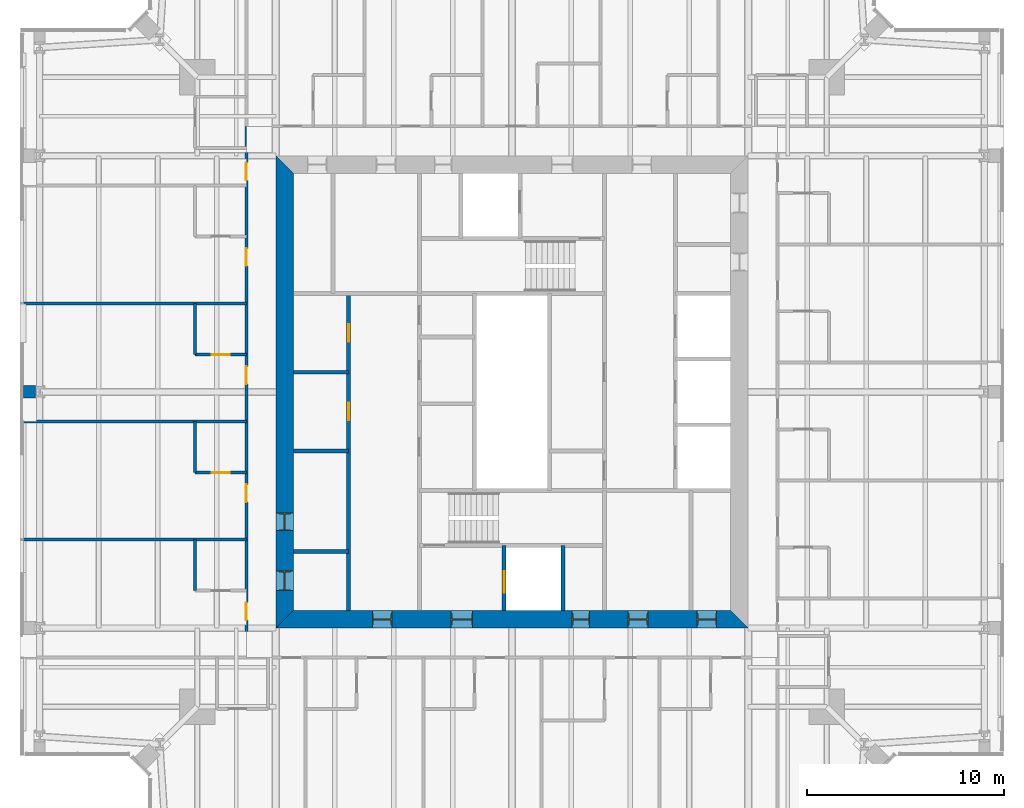
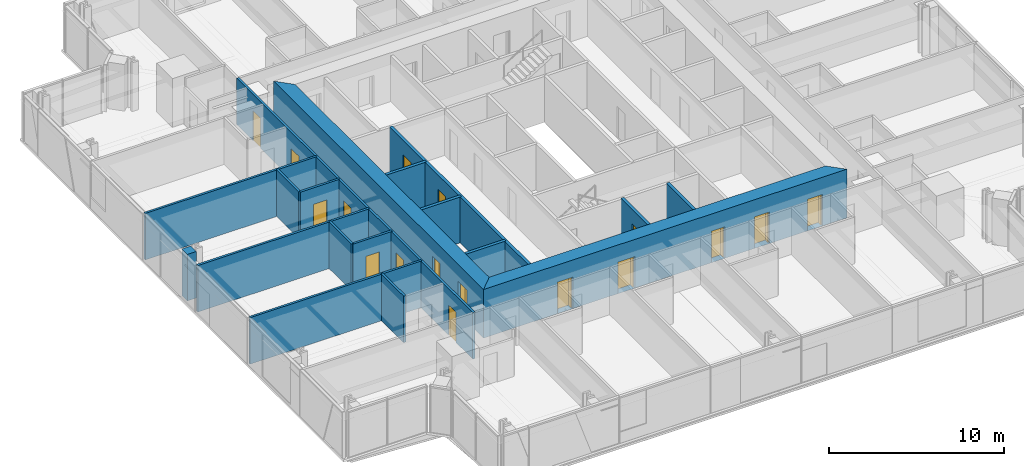
# One storey, part 12 of 20: 18 walls, 17 doors, 17 openings.
"""IFC4 building model written with IfcOpenShell, lengths in metres."""

from ifc_helpers import new_model, si_unit, direction, frame, frame_2d, origin, place, context, subcontext, project, spatial, polyline, rectangle, outline, extrude, material, layer, layer_set, type_object, element, fill, save


model = new_model("IFC4")

# Units and contexts
model_context = context("Model", 3, precision=1e-05, world=origin(), true_north=direction((0.0, 1.0)))
body_context = subcontext(model_context, "Body", "Model", "MODEL_VIEW")
ifc_project = project(units=[si_unit("LENGTHUNIT", "METRE"), si_unit("AREAUNIT", "SQUARE_METRE"), si_unit("VOLUMEUNIT", "CUBIC_METRE"), si_unit("PLANEANGLEUNIT", "RADIAN"), si_unit("MASSUNIT", "GRAM", prefix="KILO")], contexts=[model_context])

# Site, building, storey
site_placement = place(None, origin())
site = spatial("IfcSite", under=ifc_project, at=site_placement, CompositionType="ELEMENT")
building_placement = place(site_placement, origin())
building = spatial("IfcBuilding", under=site, at=building_placement, Name="Fenwick Lantern Interchange", CompositionType="ELEMENT")
storey_placement = place(building_placement, frame((0.0, 0.0, 245.800048828125)))
storey = spatial("IfcBuildingStorey", under=building, at=storey_placement, Name="L57", CompositionType="ELEMENT", Elevation=245.800048828125)

# Wall
ifc_material_1 = material(Name="Fire-rated gypsum board encasement on steel studs, 2 hour", Category="steel")
ifc_layer_1 = layer(ifc_material_1, 0.631103515625)
ifc_layer_set_1 = layer_set([ifc_layer_1], Name="COLUMN PIER 631")
wall_type_1 = type_object("IfcWallType", Name="COLUMN PIER 631", PredefinedType="PARTITIONING", material=ifc_layer_set_1)
wall_1_placement = place(storey_placement, frame((0.18994140625, 25.0, 0.0), z_axis=(0.0, 0.0, 1.0), x_axis=(1.0, 0.0, 0.0)))
element("IfcWall", 1, at=wall_1_placement, inside=storey, type_object=wall_type_1, Name="L57/W/PIER/CW3", PredefinedType="PARTITIONING", context=body_context, shape_type="SweptSolid", body=[
    extrude(rectangle(XDim=0.589111328125, YDim=0.631103515625, at=frame_2d((0.29443359375, 0.0))), origin(), (0.0, 0.0, 1.0), 3.25),
])

# Wall, openings, doors
ifc_material_2 = material(Name="Concrete masonry ASTM C90 Grade N", Category="masonry")
ifc_layer_2 = layer(ifc_material_2, 0.199951171875)
ifc_layer_set_2 = layer_set([ifc_layer_2], Name="Concrete masonry ASTM C90 Grade N")
wall_type_2 = type_object("IfcWallType", Name="CORE PARTITION 200", PredefinedType="PARTITIONING", material=ifc_layer_set_2)
wall_2_placement = place(storey_placement, frame((16.699951171875, 13.89990234375, 0.0), z_axis=(0.0, 0.0, 1.0), x_axis=(0.0, 1.0, 0.0)))
wall_2 = element("IfcWall", 2, at=wall_2_placement, inside=storey, type_object=wall_type_2, Name="L57/W/CORES/a", PredefinedType="PARTITIONING", context=body_context, shape_type="SweptSolid", body=[
    extrude(rectangle(XDim=16.10009765625, YDim=0.199951171875, at=frame_2d((8.050048828125, 0.0))), origin(), (0.0, 0.0, 1.0), 3.199951171875),
])
opening_1_placement = place(wall_2_placement, frame((9.64990234375, 0.0, 0.0)))
opening_1 = element("IfcOpeningElement", 3, at=opening_1_placement, cuts=wall_2, Name="Opening L57-D009", PredefinedType="OPENING", context=body_context, shape_type="SweptSolid", body=[
    extrude(rectangle(XDim=0.89990234375, YDim=2.199951171875, at=frame_2d((0.449951171875, 1.10009765625))), frame((0.0, 0.10986328125, 0.0), z_axis=(0.0, -1.0, 0.0), x_axis=(1.0, 0.0, 0.0)), (0.0, 0.0, 1.0), 0.219970703125),
])
opening_2_placement = place(wall_2_placement, frame((13.64990234375, 0.0, 0.0)))
opening_2 = element("IfcOpeningElement", 4, at=opening_2_placement, cuts=wall_2, Name="Opening L57-D010", PredefinedType="OPENING", context=body_context, shape_type="SweptSolid", body=[
    extrude(rectangle(XDim=0.89990234375, YDim=2.199951171875, at=frame_2d((0.449951171875, 1.10009765625))), frame((0.0, 0.10986328125, 0.0), z_axis=(0.0, -1.0, 0.0), x_axis=(1.0, 0.0, 0.0)), (0.0, 0.0, 1.0), 0.219970703125),
])
ifc_material_3 = material(Name="Steel door and frame", Category="steel")
door_type_1 = type_object("IfcDoorType", Name="SERVICE DOOR 900 X 2200", OperationType="SINGLE_SWING_LEFT", PredefinedType="DOOR", material=ifc_material_3)
door_1_placement = place(opening_1_placement, origin())
door_1 = element("IfcDoor", 5, at=door_1_placement, inside=storey, type_object=door_type_1, Name="Service door", OperationType="SINGLE_SWING_LEFT", OverallHeight=2.199951171875, OverallWidth=0.89990234375, PredefinedType="DOOR", context=body_context, shape_type="SweptSolid", body=[
    extrude(rectangle(XDim=0.89990234375, YDim=2.199951171875, at=frame_2d((0.449951171875, 1.10009765625))), frame((0.0, 0.02490234375, 0.0), z_axis=(0.0, -1.0, 0.0), x_axis=(1.0, 0.0, 0.0)), (0.0, 0.0, 1.0), 0.050048828125),
])
fill(opening_1, door_1)
door_2_placement = place(opening_2_placement, origin())
door_2 = element("IfcDoor", 6, at=door_2_placement, inside=storey, type_object=door_type_1, Name="Service door", OperationType="SINGLE_SWING_LEFT", OverallHeight=2.199951171875, OverallWidth=0.89990234375, PredefinedType="DOOR", context=body_context, shape_type="SweptSolid", body=[
    extrude(rectangle(XDim=0.89990234375, YDim=2.199951171875, at=frame_2d((0.449951171875, 1.10009765625))), frame((0.0, 0.02490234375, 0.0), z_axis=(0.0, -1.0, 0.0), x_axis=(1.0, 0.0, 0.0)), (0.0, 0.0, 1.0), 0.050048828125),
])
fill(opening_2, door_2)

# Wall, opening, door
wall_3_placement = place(storey_placement, frame((24.60009765625, 13.89990234375, 0.0), z_axis=(0.0, 0.0, 1.0), x_axis=(0.0, 1.0, 0.0)))
wall_3 = element("IfcWall", 7, at=wall_3_placement, inside=storey, type_object=wall_type_2, Name="L57/W/CORES/h1", PredefinedType="PARTITIONING", context=body_context, shape_type="SweptSolid", body=[
    extrude(rectangle(XDim=3.300048828125, YDim=0.199951171875, at=frame_2d((1.64990234375, 0.0))), origin(), (0.0, 0.0, 1.0), 3.199951171875),
])
opening_3_placement = place(wall_3_placement, frame((0.89990234375, 0.0, 0.0)))
opening_3 = element("IfcOpeningElement", 8, at=opening_3_placement, cuts=wall_3, Name="Opening LD-FL1", PredefinedType="OPENING", context=body_context, shape_type="SweptSolid", body=[
    extrude(rectangle(XDim=1.10009765625, YDim=2.199951171875, at=frame_2d((0.550048828125, 1.10009765625))), frame((0.0, 0.10986328125, 0.0), z_axis=(0.0, -1.0, 0.0), x_axis=(1.0, 0.0, 0.0)), (0.0, 0.0, 1.0), 0.219970703125),
])
door_type_2 = type_object("IfcDoorType", Name="LIFT LANDING DOOR 1100 X 2200", OperationType="DOUBLE_DOOR_SLIDING", PredefinedType="DOOR", material=ifc_material_3)
door_3_placement = place(opening_3_placement, origin())
door_3 = element("IfcDoor", 9, at=door_3_placement, inside=storey, type_object=door_type_2, Name="Lift landing door FL1", OperationType="DOUBLE_DOOR_SLIDING", OverallHeight=2.199951171875, OverallWidth=1.10009765625, PredefinedType="DOOR", context=body_context, shape_type="SweptSolid", body=[
    extrude(rectangle(XDim=1.10009765625, YDim=2.199951171875, at=frame_2d((0.550048828125, 1.10009765625))), frame((0.0, 0.02490234375, 0.0), z_axis=(0.0, -1.0, 0.0), x_axis=(1.0, 0.0, 0.0)), (0.0, 0.0, 1.0), 0.050048828125),
])
fill(opening_3, door_3)

# Walls
wall_4_placement = place(storey_placement, frame((27.60009765625, 13.89990234375, 0.0), z_axis=(0.0, 0.0, 1.0), x_axis=(0.0, 1.0, 0.0)))
element("IfcWall", 10, at=wall_4_placement, inside=storey, type_object=wall_type_2, Name="L57/W/CORES/h2", PredefinedType="PARTITIONING", context=body_context, shape_type="SweptSolid", body=[
    extrude(rectangle(XDim=3.300048828125, YDim=0.199951171875, at=frame_2d((1.64990234375, 0.0))), origin(), (0.0, 0.0, 1.0), 3.199951171875),
])
for number, where, z_axis, x_axis, name in (
    (11, (13.89990234375, 16.89990234375, 0.0), (0.0, 0.0, 1.0), (1.0, 0.0, 0.0), "L57/W/CORES/p1"),
    (12, (13.89990234375, 22.0, 0.0), (0.0, 0.0, 1.0), (1.0, 0.0, 0.0), "L57/W/CORES/p2"),
    (13, (13.89990234375, 26.0, 0.0), (0.0, 0.0, 1.0), (1.0, 0.0, 0.0), "L57/W/CORES/p3"),
):
    element("IfcWall", number, at=place(storey_placement, frame(where, z_axis=z_axis, x_axis=x_axis)), inside=storey, type_object=wall_type_2, Name=name, PredefinedType="PARTITIONING", context=body_context, shape_type="SweptSolid", body=[
        extrude(rectangle(XDim=2.800048828125, YDim=0.199951171875, at=frame_2d((1.39990234375, 0.0))), origin(), (0.0, 0.0, 1.0), 3.199951171875),
    ])

# Wall, openings, doors
ifc_material_4 = material(Name="Concrete f'c 70 MPa", Category="concrete")
ifc_layer_3 = layer(ifc_material_4, 0.89990234375)
ifc_layer_set_3 = layer_set([ifc_layer_3], Name="CORE WALL 900")
wall_type_3 = type_object("IfcWallType", Name="CORE WALL 900", PredefinedType="SHEAR", material=ifc_layer_set_3)
wall_5_placement = place(storey_placement, frame((13.0, 13.449951171875, 0.0), z_axis=(0.0, 0.0, 1.0), x_axis=(1.0, 0.0, 0.0)))
wall_5 = element("IfcWall", 14, at=wall_5_placement, inside=storey, type_object=wall_type_3, Name="L57/CORE/S", PredefinedType="SHEAR", context=body_context, shape_type="SweptSolid", body=[
    extrude(outline(polyline([(0.0, -0.449951171875), (24.0, -0.449951171875), (23.10009765625, 0.449951171875), (0.89990234375, 0.449951171875), (0.0, -0.449951171875)])), origin(), (0.0, 0.0, 1.0), 3.39990234375),
])
opening_4_placement = place(wall_5_placement, frame((4.89990234375, 0.0, 0.0)))
opening_4 = element("IfcOpeningElement", 15, at=opening_4_placement, cuts=wall_5, Name="Opening L57-D001", PredefinedType="OPENING", context=body_context, shape_type="SweptSolid", body=[
    extrude(rectangle(XDim=1.0, YDim=2.199951171875, at=frame_2d((0.5, 1.10009765625))), frame((0.0, 0.4599609375, 0.0), z_axis=(0.0, -1.0, 0.0), x_axis=(1.0, 0.0, 0.0)), (0.0, 0.0, 1.0), 0.919921875),
])
opening_5_placement = place(wall_5_placement, frame((8.89990234375, 0.0, 0.0)))
opening_5 = element("IfcOpeningElement", 16, at=opening_5_placement, cuts=wall_5, Name="Opening L57-D002", PredefinedType="OPENING", context=body_context, shape_type="SweptSolid", body=[
    extrude(rectangle(XDim=1.10009765625, YDim=2.199951171875, at=frame_2d((0.550048828125, 1.10009765625))), frame((0.0, 0.4599609375, 0.0), z_axis=(0.0, -1.0, 0.0), x_axis=(1.0, 0.0, 0.0)), (0.0, 0.0, 1.0), 0.919921875),
])
opening_6_placement = place(wall_5_placement, frame((15.050048828125, 0.0, 0.0)))
opening_6 = element("IfcOpeningElement", 17, at=opening_6_placement, cuts=wall_5, Name="Opening L57-D004", PredefinedType="OPENING", context=body_context, shape_type="SweptSolid", body=[
    extrude(rectangle(XDim=0.89990234375, YDim=2.199951171875, at=frame_2d((0.449951171875, 1.10009765625))), frame((0.0, 0.4599609375, 0.0), z_axis=(0.0, -1.0, 0.0), x_axis=(1.0, 0.0, 0.0)), (0.0, 0.0, 1.0), 0.919921875),
])
opening_7_placement = place(wall_5_placement, frame((17.89990234375, 0.0, 0.0)))
opening_7 = element("IfcOpeningElement", 18, at=opening_7_placement, cuts=wall_5, Name="Opening L57-D005", PredefinedType="OPENING", context=body_context, shape_type="SweptSolid", body=[
    extrude(rectangle(XDim=1.0, YDim=2.199951171875, at=frame_2d((0.5, 1.10009765625))), frame((0.0, 0.4599609375, 0.0), z_axis=(0.0, -1.0, 0.0), x_axis=(1.0, 0.0, 0.0)), (0.0, 0.0, 1.0), 0.919921875),
])
opening_8_placement = place(wall_5_placement, frame((21.39990234375, 0.0, 0.0)))
opening_8 = element("IfcOpeningElement", 19, at=opening_8_placement, cuts=wall_5, Name="Opening L57-D006", PredefinedType="OPENING", context=body_context, shape_type="SweptSolid", body=[
    extrude(rectangle(XDim=1.0, YDim=2.199951171875, at=frame_2d((0.5, 1.10009765625))), frame((0.0, 0.4599609375, 0.0), z_axis=(0.0, -1.0, 0.0), x_axis=(1.0, 0.0, 0.0)), (0.0, 0.0, 1.0), 0.919921875),
])
door_type_3 = type_object("IfcDoorType", Name="CORE LOBBY DOOR 1000 X 2200", OperationType="SINGLE_SWING_LEFT", PredefinedType="DOOR", material=ifc_material_3)
door_4_placement = place(opening_4_placement, origin())
door_4 = element("IfcDoor", 20, at=door_4_placement, inside=storey, type_object=door_type_3, Name="Core lobby door", OperationType="SINGLE_SWING_LEFT", OverallHeight=2.199951171875, OverallWidth=1.0, PredefinedType="DOOR", context=body_context, shape_type="SweptSolid", body=[
    extrude(rectangle(XDim=1.0, YDim=2.199951171875, at=frame_2d((0.5, 1.10009765625))), frame((0.0, 0.02490234375, 0.0), z_axis=(0.0, -1.0, 0.0), x_axis=(1.0, 0.0, 0.0)), (0.0, 0.0, 1.0), 0.050048828125),
    extrude(outline(polyline([(0.0, 0.0), (0.0400390625, 0.0), (0.0400390625, 2.159912109375), (0.9599609375, 2.159912109375), (0.9599609375, 0.0), (1.0, 0.0), (1.0, 2.199951171875), (0.0, 2.199951171875), (0.0, 0.0)])), frame((0.0, 0.300048828125, 0.0), z_axis=(0.0, -1.0, 0.0), x_axis=(1.0, 0.0, 0.0)), (0.0, 0.0, 1.0), 0.60009765625),
])
fill(opening_4, door_4)
door_type_4 = type_object("IfcDoorType", Name="FIRE LOBBY DOOR 1100 X 2200", OperationType="SINGLE_SWING_LEFT", PredefinedType="DOOR", material=ifc_material_3)
door_5_placement = place(opening_5_placement, origin())
door_5 = element("IfcDoor", 21, at=door_5_placement, inside=storey, type_object=door_type_4, Name="Fire lobby door", OperationType="SINGLE_SWING_LEFT", OverallHeight=2.199951171875, OverallWidth=1.10009765625, PredefinedType="DOOR", context=body_context, shape_type="SweptSolid", body=[
    extrude(rectangle(XDim=1.10009765625, YDim=2.199951171875, at=frame_2d((0.550048828125, 1.10009765625))), frame((0.0, 0.02490234375, 0.0), z_axis=(0.0, -1.0, 0.0), x_axis=(1.0, 0.0, 0.0)), (0.0, 0.0, 1.0), 0.050048828125),
    extrude(outline(polyline([(0.0, 0.0), (0.0400390625, 0.0), (0.0400390625, 2.159912109375), (1.06005859375, 2.159912109375), (1.06005859375, 0.0), (1.10009765625, 0.0), (1.10009765625, 2.199951171875), (0.0, 2.199951171875), (0.0, 0.0)])), frame((0.0, 0.300048828125, 0.0), z_axis=(0.0, -1.0, 0.0), x_axis=(1.0, 0.0, 0.0)), (0.0, 0.0, 1.0), 0.60009765625),
])
fill(opening_5, door_5)
door_6_placement = place(opening_6_placement, origin())
door_6 = element("IfcDoor", 22, at=door_6_placement, inside=storey, type_object=door_type_1, Name="Service door", OperationType="SINGLE_SWING_LEFT", OverallHeight=2.199951171875, OverallWidth=0.89990234375, PredefinedType="DOOR", context=body_context, shape_type="SweptSolid", body=[
    extrude(rectangle(XDim=0.89990234375, YDim=2.199951171875, at=frame_2d((0.449951171875, 1.10009765625))), frame((0.0, 0.02490234375, 0.0), z_axis=(0.0, -1.0, 0.0), x_axis=(1.0, 0.0, 0.0)), (0.0, 0.0, 1.0), 0.050048828125),
    extrude(outline(polyline([(0.0, 0.0), (0.0400390625, 0.0), (0.0400390625, 2.159912109375), (0.85986328125, 2.159912109375), (0.85986328125, 0.0), (0.89990234375, 0.0), (0.89990234375, 2.199951171875), (0.0, 2.199951171875), (0.0, 0.0)])), frame((0.0, 0.300048828125, 0.0), z_axis=(0.0, -1.0, 0.0), x_axis=(1.0, 0.0, 0.0)), (0.0, 0.0, 1.0), 0.60009765625),
])
fill(opening_6, door_6)
ifc_material_5 = material(Name="Hardwood door and steel frame", Category="steel")
door_type_5 = type_object("IfcDoorType", Name="WC DOOR 1000 X 2200", OperationType="SINGLE_SWING_LEFT", PredefinedType="DOOR", material=ifc_material_5)
door_7_placement = place(opening_7_placement, origin())
door_7 = element("IfcDoor", 23, at=door_7_placement, inside=storey, type_object=door_type_5, Name="Wc door", OperationType="SINGLE_SWING_LEFT", OverallHeight=2.199951171875, OverallWidth=1.0, PredefinedType="DOOR", context=body_context, shape_type="SweptSolid", body=[
    extrude(rectangle(XDim=1.0, YDim=2.199951171875, at=frame_2d((0.5, 1.10009765625))), frame((0.0, 0.02490234375, 0.0), z_axis=(0.0, -1.0, 0.0), x_axis=(1.0, 0.0, 0.0)), (0.0, 0.0, 1.0), 0.050048828125),
    extrude(outline(polyline([(0.0, 0.0), (0.0400390625, 0.0), (0.0400390625, 2.159912109375), (0.9599609375, 2.159912109375), (0.9599609375, 0.0), (1.0, 0.0), (1.0, 2.199951171875), (0.0, 2.199951171875), (0.0, 0.0)])), frame((0.0, 0.300048828125, 0.0), z_axis=(0.0, -1.0, 0.0), x_axis=(1.0, 0.0, 0.0)), (0.0, 0.0, 1.0), 0.60009765625),
])
fill(opening_7, door_7)
door_8_placement = place(opening_8_placement, origin())
door_8 = element("IfcDoor", 24, at=door_8_placement, inside=storey, type_object=door_type_5, Name="Wc door", OperationType="SINGLE_SWING_LEFT", OverallHeight=2.199951171875, OverallWidth=1.0, PredefinedType="DOOR", context=body_context, shape_type="SweptSolid", body=[
    extrude(rectangle(XDim=1.0, YDim=2.199951171875, at=frame_2d((0.5, 1.10009765625))), frame((0.0, 0.02490234375, 0.0), z_axis=(0.0, -1.0, 0.0), x_axis=(1.0, 0.0, 0.0)), (0.0, 0.0, 1.0), 0.050048828125),
    extrude(outline(polyline([(0.0, 0.0), (0.0400390625, 0.0), (0.0400390625, 2.159912109375), (0.9599609375, 2.159912109375), (0.9599609375, 0.0), (1.0, 0.0), (1.0, 2.199951171875), (0.0, 2.199951171875), (0.0, 0.0)])), frame((0.0, 0.300048828125, 0.0), z_axis=(0.0, -1.0, 0.0), x_axis=(1.0, 0.0, 0.0)), (0.0, 0.0, 1.0), 0.60009765625),
])
fill(opening_8, door_8)

wall_6_placement = place(storey_placement, frame((13.449951171875, 36.10009765625, 0.0), z_axis=(0.0, 0.0, 1.0), x_axis=(0.0, -1.0, 0.0)))
wall_6 = element("IfcWall", 25, at=wall_6_placement, inside=storey, type_object=wall_type_3, Name="L57/CORE/W", PredefinedType="SHEAR", context=body_context, shape_type="SweptSolid", body=[
    extrude(outline(polyline([(-0.89990234375, -0.449951171875), (23.10009765625, -0.449951171875), (22.199951171875, 0.449951171875), (0.0, 0.449951171875), (-0.89990234375, -0.449951171875)])), origin(), (0.0, 0.0, 1.0), 3.39990234375),
])
opening_9_placement = place(wall_6_placement, frame((20.199951171875, 0.0, 0.0)))
opening_9 = element("IfcOpeningElement", 26, at=opening_9_placement, cuts=wall_6, Name="Opening L57-D007", PredefinedType="OPENING", context=body_context, shape_type="SweptSolid", body=[
    extrude(rectangle(XDim=1.0, YDim=2.199951171875, at=frame_2d((0.5, 1.10009765625))), frame((0.0, 0.4599609375, 0.0), z_axis=(0.0, -1.0, 0.0), x_axis=(1.0, 0.0, 0.0)), (0.0, 0.0, 1.0), 0.919921875),
])
opening_10_placement = place(wall_6_placement, frame((17.25, 0.0, 0.0)))
opening_10 = element("IfcOpeningElement", 27, at=opening_10_placement, cuts=wall_6, Name="Opening L57-D008", PredefinedType="OPENING", context=body_context, shape_type="SweptSolid", body=[
    extrude(rectangle(XDim=0.89990234375, YDim=2.199951171875, at=frame_2d((0.449951171875, 1.10009765625))), frame((0.0, 0.4599609375, 0.0), z_axis=(0.0, -1.0, 0.0), x_axis=(1.0, 0.0, 0.0)), (0.0, 0.0, 1.0), 0.919921875),
])
door_9_placement = place(opening_10_placement, origin())
door_9 = element("IfcDoor", 28, at=door_9_placement, inside=storey, type_object=door_type_1, Name="Service door", OperationType="SINGLE_SWING_RIGHT", OverallHeight=2.199951171875, OverallWidth=0.89990234375, PredefinedType="DOOR", context=body_context, shape_type="SweptSolid", body=[
    extrude(rectangle(XDim=0.89990234375, YDim=2.199951171875, at=frame_2d((0.449951171875, 1.10009765625))), frame((0.0, 0.02490234375, 0.0), z_axis=(0.0, -1.0, 0.0), x_axis=(1.0, 0.0, 0.0)), (0.0, 0.0, 1.0), 0.050048828125),
    extrude(outline(polyline([(0.0, 0.0), (0.0400390625, 0.0), (0.0400390625, 2.159912109375), (0.85986328125, 2.159912109375), (0.85986328125, 0.0), (0.89990234375, 0.0), (0.89990234375, 2.199951171875), (0.0, 2.199951171875), (0.0, 0.0)])), frame((0.0, 0.300048828125, 0.0), z_axis=(0.0, -1.0, 0.0), x_axis=(1.0, 0.0, 0.0)), (0.0, 0.0, 1.0), 0.60009765625),
])
fill(opening_10, door_9)
door_10_placement = place(opening_9_placement, origin())
door_10 = element("IfcDoor", 29, at=door_10_placement, inside=storey, type_object=door_type_5, Name="Wc door", OperationType="SINGLE_SWING_LEFT", OverallHeight=2.199951171875, OverallWidth=1.0, PredefinedType="DOOR", context=body_context, shape_type="SweptSolid", body=[
    extrude(rectangle(XDim=1.0, YDim=2.199951171875, at=frame_2d((0.5, 1.10009765625))), frame((0.0, 0.02490234375, 0.0), z_axis=(0.0, -1.0, 0.0), x_axis=(1.0, 0.0, 0.0)), (0.0, 0.0, 1.0), 0.050048828125),
    extrude(outline(polyline([(0.0, 0.0), (0.0400390625, 0.0), (0.0400390625, 2.159912109375), (0.9599609375, 2.159912109375), (0.9599609375, 0.0), (1.0, 0.0), (1.0, 2.199951171875), (0.0, 2.199951171875), (0.0, 0.0)])), frame((0.0, 0.300048828125, 0.0), z_axis=(0.0, -1.0, 0.0), x_axis=(1.0, 0.0, 0.0)), (0.0, 0.0, 1.0), 0.60009765625),
])
fill(opening_9, door_10)

ifc_material_6 = material(Name="Gypsum board on steel studs, 1 hour", Category="steel")
ifc_layer_4 = layer(ifc_material_6, 0.14990234375)
ifc_layer_set_4 = layer_set([ifc_layer_4], Name="CORRIDOR WALL 150")
wall_type_4 = type_object("IfcWallType", Name="CORRIDOR WALL 150", PredefinedType="PARTITIONING", material=ifc_layer_set_4)
wall_7_placement = place(storey_placement, frame((11.5, 38.5, 0.0), z_axis=(0.0, 0.0, 1.0), x_axis=(0.0, -1.0, 0.0)))
wall_7 = element("IfcWall", 30, at=wall_7_placement, inside=storey, type_object=wall_type_4, Name="L57/W/HOTEL/W/CW", PredefinedType="PARTITIONING", context=body_context, shape_type="SweptSolid", body=[
    extrude(rectangle(XDim=27.0, YDim=0.14990234375, at=frame_2d((13.5, 0.0))), origin(), (0.0, 0.0, 1.0), 3.25),
])
opening_11_placement = place(wall_7_placement, frame((1.85009765625, 0.0, 0.0)))
opening_11 = element("IfcOpeningElement", 31, at=opening_11_placement, cuts=wall_7, Name="Opening L57-D054", PredefinedType="OPENING", context=body_context, shape_type="SweptSolid", body=[
    extrude(rectangle(XDim=0.89990234375, YDim=2.10009765625, at=frame_2d((0.449951171875, 1.050048828125))), frame((0.0, 0.0849609375, 0.0), z_axis=(0.0, -1.0, 0.0), x_axis=(1.0, 0.0, 0.0)), (0.0, 0.0, 1.0), 0.169921875),
])
opening_12_placement = place(wall_7_placement, frame((6.199951171875, 0.0, 0.0)))
opening_12 = element("IfcOpeningElement", 32, at=opening_12_placement, cuts=wall_7, Name="Opening L57-D057", PredefinedType="OPENING", context=body_context, shape_type="SweptSolid", body=[
    extrude(rectangle(XDim=0.89990234375, YDim=2.10009765625, at=frame_2d((0.449951171875, 1.050048828125))), frame((0.0, 0.0849609375, 0.0), z_axis=(0.0, -1.0, 0.0), x_axis=(1.0, 0.0, 0.0)), (0.0, 0.0, 1.0), 0.169921875),
])
opening_13_placement = place(wall_7_placement, frame((12.199951171875, 0.0, 0.0)))
opening_13 = element("IfcOpeningElement", 33, at=opening_13_placement, cuts=wall_7, Name="Opening L57-D059", PredefinedType="OPENING", context=body_context, shape_type="SweptSolid", body=[
    extrude(rectangle(XDim=0.89990234375, YDim=2.10009765625, at=frame_2d((0.449951171875, 1.050048828125))), frame((0.0, 0.0849609375, 0.0), z_axis=(0.0, -1.0, 0.0), x_axis=(1.0, 0.0, 0.0)), (0.0, 0.0, 1.0), 0.169921875),
])
opening_14_placement = place(wall_7_placement, frame((18.199951171875, 0.0, 0.0)))
opening_14 = element("IfcOpeningElement", 34, at=opening_14_placement, cuts=wall_7, Name="Opening L57-D061", PredefinedType="OPENING", context=body_context, shape_type="SweptSolid", body=[
    extrude(rectangle(XDim=0.89990234375, YDim=2.10009765625, at=frame_2d((0.449951171875, 1.050048828125))), frame((0.0, 0.0849609375, 0.0), z_axis=(0.0, -1.0, 0.0), x_axis=(1.0, 0.0, 0.0)), (0.0, 0.0, 1.0), 0.169921875),
])
opening_15_placement = place(wall_7_placement, frame((24.199951171875, 0.0, 0.0)))
opening_15 = element("IfcOpeningElement", 35, at=opening_15_placement, cuts=wall_7, Name="Opening L57-D063", PredefinedType="OPENING", context=body_context, shape_type="SweptSolid", body=[
    extrude(rectangle(XDim=0.89990234375, YDim=2.10009765625, at=frame_2d((0.449951171875, 1.050048828125))), frame((0.0, 0.0849609375, 0.0), z_axis=(0.0, -1.0, 0.0), x_axis=(1.0, 0.0, 0.0)), (0.0, 0.0, 1.0), 0.169921875),
])
door_type_6 = type_object("IfcDoorType", Name="GUEST ROOM DOOR 900 X 2100", OperationType="SINGLE_SWING_LEFT", PredefinedType="DOOR", material=ifc_material_3)
door_11_placement = place(opening_11_placement, frame((0.89990234375, 0.0, 0.0), z_axis=(0.0, 0.0, 1.0), x_axis=(-1.0, 0.0, 0.0)))
door_11 = element("IfcDoor", 36, at=door_11_placement, inside=storey, type_object=door_type_6, Name="Guest room door", OperationType="SINGLE_SWING_LEFT", OverallHeight=2.10009765625, OverallWidth=0.89990234375, PredefinedType="DOOR", context=body_context, shape_type="SweptSolid", body=[
    extrude(rectangle(XDim=0.89990234375, YDim=2.10009765625, at=frame_2d((0.449951171875, 1.050048828125))), frame((0.0, 0.02490234375, 0.0), z_axis=(0.0, -1.0, 0.0), x_axis=(1.0, 0.0, 0.0)), (0.0, 0.0, 1.0), 0.050048828125),
])
fill(opening_11, door_11)
door_12_placement = place(opening_12_placement, frame((0.89990234375, 0.0, 0.0), z_axis=(0.0, 0.0, 1.0), x_axis=(-1.0, 0.0, 0.0)))
door_12 = element("IfcDoor", 37, at=door_12_placement, inside=storey, type_object=door_type_6, Name="Guest room door", OperationType="SINGLE_SWING_RIGHT", OverallHeight=2.10009765625, OverallWidth=0.89990234375, PredefinedType="DOOR", context=body_context, shape_type="SweptSolid", body=[
    extrude(rectangle(XDim=0.89990234375, YDim=2.10009765625, at=frame_2d((0.449951171875, 1.050048828125))), frame((0.0, 0.02490234375, 0.0), z_axis=(0.0, -1.0, 0.0), x_axis=(1.0, 0.0, 0.0)), (0.0, 0.0, 1.0), 0.050048828125),
])
fill(opening_12, door_12)
door_13_placement = place(opening_13_placement, frame((0.89990234375, 0.0, 0.0), z_axis=(0.0, 0.0, 1.0), x_axis=(-1.0, 0.0, 0.0)))
door_13 = element("IfcDoor", 38, at=door_13_placement, inside=storey, type_object=door_type_6, Name="Guest room door", OperationType="SINGLE_SWING_RIGHT", OverallHeight=2.10009765625, OverallWidth=0.89990234375, PredefinedType="DOOR", context=body_context, shape_type="SweptSolid", body=[
    extrude(rectangle(XDim=0.89990234375, YDim=2.10009765625, at=frame_2d((0.449951171875, 1.050048828125))), frame((0.0, 0.02490234375, 0.0), z_axis=(0.0, -1.0, 0.0), x_axis=(1.0, 0.0, 0.0)), (0.0, 0.0, 1.0), 0.050048828125),
])
fill(opening_13, door_13)
door_14_placement = place(opening_14_placement, frame((0.89990234375, 0.0, 0.0), z_axis=(0.0, 0.0, 1.0), x_axis=(-1.0, 0.0, 0.0)))
door_14 = element("IfcDoor", 39, at=door_14_placement, inside=storey, type_object=door_type_6, Name="Guest room door", OperationType="SINGLE_SWING_RIGHT", OverallHeight=2.10009765625, OverallWidth=0.89990234375, PredefinedType="DOOR", context=body_context, shape_type="SweptSolid", body=[
    extrude(rectangle(XDim=0.89990234375, YDim=2.10009765625, at=frame_2d((0.449951171875, 1.050048828125))), frame((0.0, 0.02490234375, 0.0), z_axis=(0.0, -1.0, 0.0), x_axis=(1.0, 0.0, 0.0)), (0.0, 0.0, 1.0), 0.050048828125),
])
fill(opening_14, door_14)
door_15_placement = place(opening_15_placement, frame((0.89990234375, 0.0, 0.0), z_axis=(0.0, 0.0, 1.0), x_axis=(-1.0, 0.0, 0.0)))
door_15 = element("IfcDoor", 40, at=door_15_placement, inside=storey, type_object=door_type_6, Name="Guest room door", OperationType="SINGLE_SWING_RIGHT", OverallHeight=2.10009765625, OverallWidth=0.89990234375, PredefinedType="DOOR", context=body_context, shape_type="SweptSolid", body=[
    extrude(rectangle(XDim=0.89990234375, YDim=2.10009765625, at=frame_2d((0.449951171875, 1.050048828125))), frame((0.0, 0.02490234375, 0.0), z_axis=(0.0, -1.0, 0.0), x_axis=(1.0, 0.0, 0.0)), (0.0, 0.0, 1.0), 0.050048828125),
])
fill(opening_15, door_15)

# Wall
ifc_material_7 = material(Name="Gypsum board on steel studs, moisture resistant", Category="steel")
ifc_layer_5 = layer(ifc_material_7, 0.14990234375)
ifc_layer_set_5 = layer_set([ifc_layer_5], Name="EN-SUITE WALL 150")
wall_type_5 = type_object("IfcWallType", Name="EN-SUITE WALL 150", PredefinedType="PARTITIONING", material=ifc_layer_set_5)
wall_8_placement = place(storey_placement, frame((8.89990234375, 29.5, 0.0), z_axis=(0.0, 0.0, 1.0), x_axis=(0.0, -1.0, 0.0)))
element("IfcWall", 41, at=wall_8_placement, inside=storey, type_object=wall_type_5, Name="L57/W/HOTEL/W/U3BW", PredefinedType="PARTITIONING", context=body_context, shape_type="SweptSolid", body=[
    extrude(rectangle(XDim=2.60009765625, YDim=0.14990234375, at=frame_2d((1.300048828125, 0.0))), origin(), (0.0, 0.0, 1.0), 3.25),
])

# Wall, opening, door
wall_9_placement = place(storey_placement, frame((8.89990234375, 26.89990234375, 0.0), z_axis=(0.0, 0.0, 1.0), x_axis=(1.0, 0.0, 0.0)))
wall_9 = element("IfcWall", 42, at=wall_9_placement, inside=storey, type_object=wall_type_5, Name="L57/W/HOTEL/W/U3BX", PredefinedType="PARTITIONING", context=body_context, shape_type="SweptSolid", body=[
    extrude(rectangle(XDim=2.60009765625, YDim=0.14990234375, at=frame_2d((1.300048828125, 0.0))), origin(), (0.0, 0.0, 1.0), 3.25),
])
opening_16_placement = place(wall_9_placement, frame((0.85009765625, 0.0, 0.0)))
opening_16 = element("IfcOpeningElement", 43, at=opening_16_placement, cuts=wall_9, Name="Opening L57-D058", PredefinedType="OPENING", context=body_context, shape_type="SweptSolid", body=[
    extrude(rectangle(XDim=0.89990234375, YDim=2.10009765625, at=frame_2d((0.449951171875, 1.050048828125))), frame((0.0, 0.0849609375, 0.0), z_axis=(0.0, -1.0, 0.0), x_axis=(1.0, 0.0, 0.0)), (0.0, 0.0, 1.0), 0.169921875),
])
door_type_7 = type_object("IfcDoorType", Name="EN-SUITE DOOR 900 X 2100", OperationType="SINGLE_SWING_LEFT", PredefinedType="DOOR", material=ifc_material_5)
door_16_placement = place(opening_16_placement, origin())
door_16 = element("IfcDoor", 44, at=door_16_placement, inside=storey, type_object=door_type_7, Name="En-suite door", OperationType="SINGLE_SWING_LEFT", OverallHeight=2.10009765625, OverallWidth=0.89990234375, PredefinedType="DOOR", context=body_context, shape_type="SweptSolid", body=[
    extrude(rectangle(XDim=0.89990234375, YDim=2.10009765625, at=frame_2d((0.449951171875, 1.050048828125))), frame((0.0, 0.02490234375, 0.0), z_axis=(0.0, -1.0, 0.0), x_axis=(1.0, 0.0, 0.0)), (0.0, 0.0, 1.0), 0.050048828125),
])
fill(opening_16, door_16)

# Wall
wall_10_placement = place(storey_placement, frame((8.89990234375, 23.5, 0.0), z_axis=(0.0, 0.0, 1.0), x_axis=(0.0, -1.0, 0.0)))
element("IfcWall", 45, at=wall_10_placement, inside=storey, type_object=wall_type_5, Name="L57/W/HOTEL/W/U4BW", PredefinedType="PARTITIONING", context=body_context, shape_type="SweptSolid", body=[
    extrude(rectangle(XDim=2.60009765625, YDim=0.14990234375, at=frame_2d((1.300048828125, 0.0))), origin(), (0.0, 0.0, 1.0), 3.25),
])

# Wall, opening, door
wall_11_placement = place(storey_placement, frame((8.89990234375, 20.89990234375, 0.0), z_axis=(0.0, 0.0, 1.0), x_axis=(1.0, 0.0, 0.0)))
wall_11 = element("IfcWall", 46, at=wall_11_placement, inside=storey, type_object=wall_type_5, Name="L57/W/HOTEL/W/U4BX", PredefinedType="PARTITIONING", context=body_context, shape_type="SweptSolid", body=[
    extrude(rectangle(XDim=2.60009765625, YDim=0.14990234375, at=frame_2d((1.300048828125, 0.0))), origin(), (0.0, 0.0, 1.0), 3.25),
])
opening_17_placement = place(wall_11_placement, frame((0.85009765625, 0.0, 0.0)))
opening_17 = element("IfcOpeningElement", 47, at=opening_17_placement, cuts=wall_11, Name="Opening L57-D060", PredefinedType="OPENING", context=body_context, shape_type="SweptSolid", body=[
    extrude(rectangle(XDim=0.89990234375, YDim=2.10009765625, at=frame_2d((0.449951171875, 1.050048828125))), frame((0.0, 0.0849609375, 0.0), z_axis=(0.0, -1.0, 0.0), x_axis=(1.0, 0.0, 0.0)), (0.0, 0.0, 1.0), 0.169921875),
])
door_17_placement = place(opening_17_placement, origin())
door_17 = element("IfcDoor", 48, at=door_17_placement, inside=storey, type_object=door_type_7, Name="En-suite door", OperationType="SINGLE_SWING_LEFT", OverallHeight=2.10009765625, OverallWidth=0.89990234375, PredefinedType="DOOR", context=body_context, shape_type="SweptSolid", body=[
    extrude(rectangle(XDim=0.89990234375, YDim=2.10009765625, at=frame_2d((0.449951171875, 1.050048828125))), frame((0.0, 0.02490234375, 0.0), z_axis=(0.0, -1.0, 0.0), x_axis=(1.0, 0.0, 0.0)), (0.0, 0.0, 1.0), 0.050048828125),
])
fill(opening_17, door_17)

# Walls
wall_12_placement = place(storey_placement, frame((8.89990234375, 17.5, 0.0), z_axis=(0.0, 0.0, 1.0), x_axis=(0.0, -1.0, 0.0)))
element("IfcWall", 49, at=wall_12_placement, inside=storey, type_object=wall_type_5, Name="L57/W/HOTEL/W/U5BW", PredefinedType="PARTITIONING", context=body_context, shape_type="SweptSolid", body=[
    extrude(rectangle(XDim=2.60009765625, YDim=0.14990234375, at=frame_2d((1.300048828125, 0.0))), origin(), (0.0, 0.0, 1.0), 3.25),
])
ifc_material_8 = material(Name="Gypsum board on steel studs, 1 hour acoustic", Category="steel")
ifc_layer_6 = layer(ifc_material_8, 0.14990234375)
ifc_layer_set_6 = layer_set([ifc_layer_6], Name="PARTY WALL 150")
wall_type_6 = type_object("IfcWallType", Name="PARTY WALL 150", PredefinedType="PARTITIONING", material=ifc_layer_set_6)
for number, where, z_axis, x_axis, name in (
    (50, (0.14990234375, 29.5, 0.0), (0.0, 0.0, 1.0), (1.0, 0.0, 0.0), "L57/W/HOTEL/W/U3PW"),
    (51, (0.14990234375, 23.5, 0.0), (0.0, 0.0, 1.0), (1.0, 0.0, 0.0), "L57/W/HOTEL/W/U4PW"),
    (52, (0.14990234375, 17.5, 0.0), (0.0, 0.0, 1.0), (1.0, 0.0, 0.0), "L57/W/HOTEL/W/U5PW"),
):
    element("IfcWall", number, at=place(storey_placement, frame(where, z_axis=z_axis, x_axis=x_axis)), inside=storey, type_object=wall_type_6, Name=name, PredefinedType="PARTITIONING", context=body_context, shape_type="SweptSolid", body=[
        extrude(rectangle(XDim=11.35009765625, YDim=0.14990234375, at=frame_2d((5.675048828125, 0.0))), origin(), (0.0, 0.0, 1.0), 3.25),
    ])

save(model, "model.ifc")
